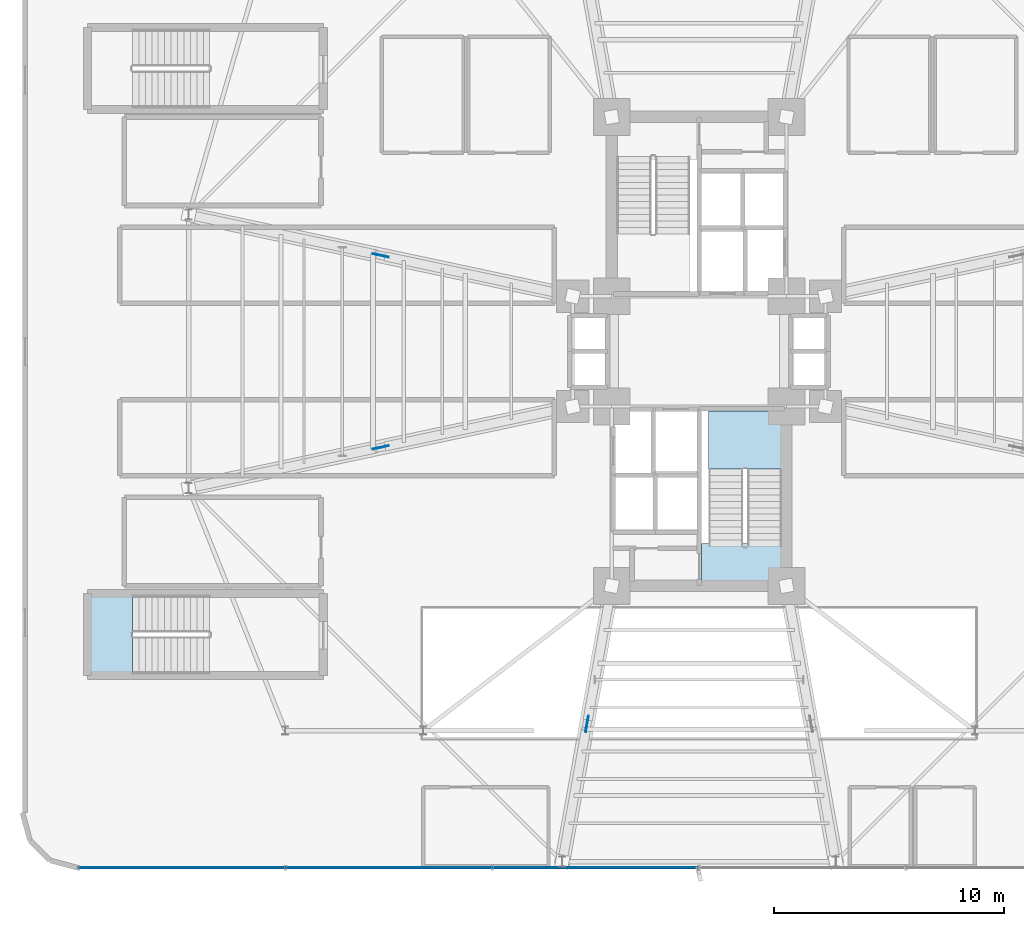
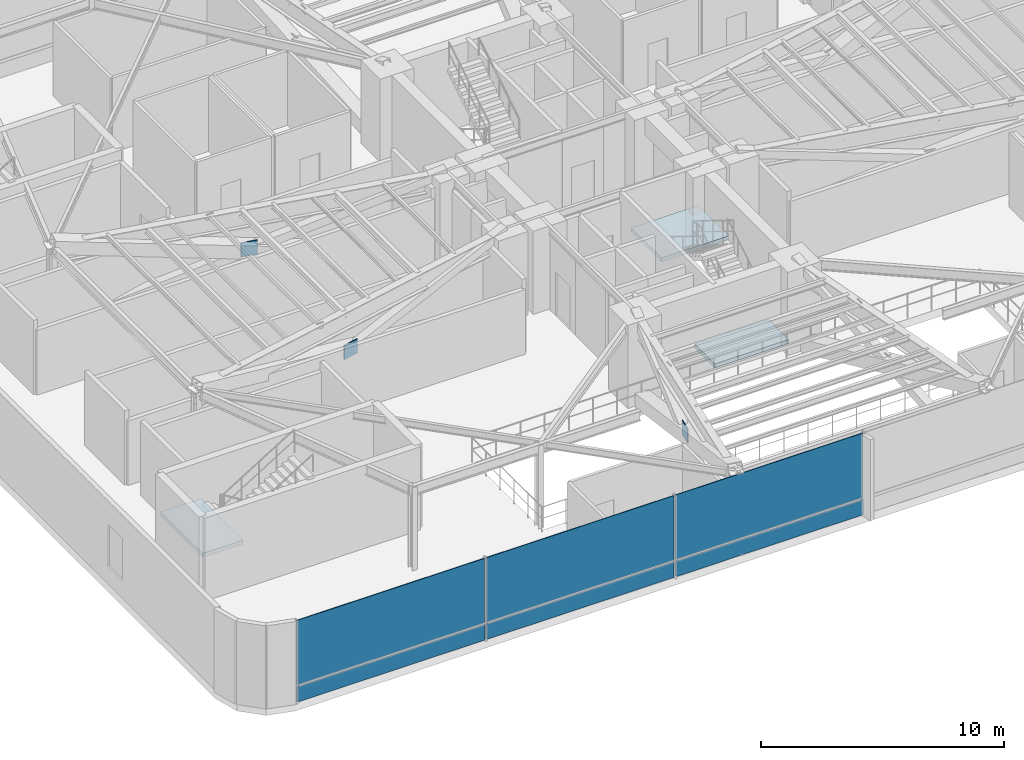
# One storey, part 18 of 32: 9 plates, 3 slabs, 3 elements without a shape of their own.
"""IFC4 building model written with IfcOpenShell, lengths in metres."""

import ifcopenshell
import ifcopenshell.guid

model = None  # the IFC model being written
_history = None  # IfcOwnerHistory: only IFC2X3 demands one
_inside = {}  # id of a spatial element -> (the spatial element, [elements in it])
_under = {}  # id of a project, library or spatial element -> (it, [spatial elements below it])
_declared = {}  # id of a project -> (the project, [libraries it declares])
_typed = {}  # id of a type object -> (the type object, [elements of that type])
_made_of = {}  # id of a material, layer set ... -> (it, [elements and type objects made of it])


def new_model(schema):
    """Start an empty IFC model of exactly this schema.

    Asked for "IFC4X3", IfcOpenShell would pick the latest addendum, in which some entities
    have other attributes; the version numbers below select the first issue.
    IFC2X3 requires an IfcOwnerHistory on every rooted entity: one is made here for all.
    """
    global model, _history
    if schema == "IFC4X3":
        model = ifcopenshell.file(schema_version=(4, 3, 0, 0))
    else:
        model = ifcopenshell.file(schema=schema)
    _inside.clear()
    _under.clear()
    _declared.clear()
    _typed.clear()
    _made_of.clear()
    _history = None
    if model.schema == "IFC2X3":
        org = make("IfcOrganization", Name="unknown")
        user = make(
            "IfcPersonAndOrganization",
            ThePerson=make("IfcPerson", FamilyName="unknown"),
            TheOrganization=org,
        )
        app = make(
            "IfcApplication",
            ApplicationDeveloper=org,
            Version="unknown",
            ApplicationFullName="unknown",
            ApplicationIdentifier="unknown",
        )
        _history = make(
            "IfcOwnerHistory",
            OwningUser=user,
            OwningApplication=app,
            ChangeAction="ADDED",
            CreationDate=0,
        )
    return model


def make(cls, **values):
    """One entity of the class cls with the attributes given. An attribute that is None is left unset."""
    return model.create_entity(
        cls, **{name: value for name, value in values.items() if value is not None}
    )


def rooted(cls, **values):
    """An entity with a GlobalId (a new one), such as an element, a storey or a relation."""
    return make(cls, GlobalId=ifcopenshell.guid.new(), OwnerHistory=_history, **values)


def si_unit(unit_type, name, prefix=None):
    """IfcSIUnit, for example si_unit("LENGTHUNIT", "METRE", prefix="MILLI")."""
    return make("IfcSIUnit", UnitType=unit_type, Prefix=prefix, Name=name)


def assignment(units):
    """IfcUnitAssignment: the units of a project."""
    return None if units is None else make("IfcUnitAssignment", Units=units)


def point(xyz):
    """IfcCartesianPoint."""
    return None if xyz is None else make("IfcCartesianPoint", Coordinates=xyz)


def direction(xyz):
    """IfcDirection."""
    return None if xyz is None else make("IfcDirection", DirectionRatios=xyz)


def frame(location, z_axis=None, x_axis=None):
    """IfcAxis2Placement3D, a coordinate frame: its origin and axes. An axis left out is left unset."""
    return make(
        "IfcAxis2Placement3D",
        Location=point(location),
        Axis=direction(z_axis),
        RefDirection=direction(x_axis),
    )


def frame_2d(location, x_axis=None):
    """IfcAxis2Placement2D, a coordinate frame in the plane: its origin and x axis."""
    return make(
        "IfcAxis2Placement2D", Location=point(location), RefDirection=direction(x_axis)
    )


def origin():
    """The frame at (0, 0, 0) with its axes left unset."""
    return frame((0.0, 0.0, 0.0))


def origin_2d():
    """The frame at (0, 0) in the plane with its x axis left unset."""
    return frame_2d((0.0, 0.0))


def place(relative_to, where):
    """IfcLocalPlacement: puts the frame where relative to a parent placement (None: the world)."""
    return make(
        "IfcLocalPlacement", PlacementRelTo=relative_to, RelativePlacement=where
    )


def context(
    kind, dimensions, precision=None, world=None, true_north=None, identifier=None
):
    """IfcGeometricRepresentationContext, for example the 3D "Model" context."""
    return make(
        "IfcGeometricRepresentationContext",
        ContextIdentifier=identifier,
        ContextType=kind,
        CoordinateSpaceDimension=dimensions,
        Precision=precision,
        WorldCoordinateSystem=world,
        TrueNorth=true_north,
    )


def subcontext(parent, identifier, kind, view, scale=None):
    """IfcGeometricRepresentationSubContext, for example "Body" below "Model"."""
    return make(
        "IfcGeometricRepresentationSubContext",
        ContextIdentifier=identifier,
        ContextType=kind,
        ParentContext=parent,
        TargetScale=scale,
        TargetView=view,
    )


def project(units=None, contexts=None):
    """IfcProject with its units and contexts."""
    return rooted(
        "IfcProject",
        Name="project",
        RepresentationContexts=contexts,
        UnitsInContext=assignment(units),
    )


def spatial(cls, under=None, at=None, **own):
    """A site, building, storey or space (cls), placed at a placement, below another one or the project."""
    s = rooted(cls, ObjectPlacement=at, **own)
    if under is not None:
        _under.setdefault(under.id(), (under, []))[1].append(s)
    return s


def polyline(points):
    """IfcPolyline through the points."""
    return make("IfcPolyline", Points=[point(p) for p in points])


def profile(cls, at=None, kind="AREA", **sizes):
    """A parametric profile (cls). Its sizes go by their IFC names, for example OverallWidth=200.0."""
    return make(cls, ProfileType=kind, Position=at, **sizes)


def rectangle(**sizes):
    """IfcRectangleProfileDef."""
    return profile("IfcRectangleProfileDef", **sizes)


def outline(outer, holes=None, kind="AREA"):
    """IfcArbitraryClosedProfileDef: a profile drawn as a closed curve; with holes, ...WithVoids."""
    if holes is None:
        return make("IfcArbitraryClosedProfileDef", ProfileType=kind, OuterCurve=outer)
    return make(
        "IfcArbitraryProfileDefWithVoids",
        ProfileType=kind,
        OuterCurve=outer,
        InnerCurves=holes,
    )


def extrude(swept, where, along, depth):
    """IfcExtrudedAreaSolid: the profile swept, set in the frame where, extruded along a direction by depth."""
    return make(
        "IfcExtrudedAreaSolid",
        SweptArea=swept,
        Position=where,
        ExtrudedDirection=direction(along),
        Depth=depth,
    )


def shape(context_of_items, identifier, shape_type, items):
    """IfcShapeRepresentation: the items that make up one representation, for example the "Body"."""
    return make(
        "IfcShapeRepresentation",
        ContextOfItems=context_of_items,
        RepresentationIdentifier=identifier,
        RepresentationType=shape_type,
        Items=items,
    )


def source(mapping_origin, context_of_items, identifier, shape_type, items):
    """IfcRepresentationMap: a shape defined once, which mapped items show again and again."""
    return make(
        "IfcRepresentationMap",
        MappingOrigin=mapping_origin,
        MappedRepresentation=shape(context_of_items, identifier, shape_type, items),
    )


def transform(
    local_origin,
    x_axis=None,
    y_axis=None,
    z_axis=None,
    scale=None,
    scale2=None,
    scale3=None,
    uniform=True,
):
    """IfcCartesianTransformationOperator3D, or its non-uniform kind. x_axis, y_axis, z_axis: its Axis1, 2, 3."""
    if uniform:
        return make(
            "IfcCartesianTransformationOperator3D",
            Axis1=direction(x_axis),
            Axis2=direction(y_axis),
            LocalOrigin=point(local_origin),
            Scale=scale,
            Axis3=direction(z_axis),
        )
    return make(
        "IfcCartesianTransformationOperator3DnonUniform",
        Axis1=direction(x_axis),
        Axis2=direction(y_axis),
        LocalOrigin=point(local_origin),
        Scale=scale,
        Axis3=direction(z_axis),
        Scale2=scale2,
        Scale3=scale3,
    )


def mapped(mapping_source, mapping_target):
    """IfcMappedItem: shows the shape of a source again, moved by a transform."""
    return make(
        "IfcMappedItem", MappingSource=mapping_source, MappingTarget=mapping_target
    )


def material(Name=None, Category=None):
    """IfcMaterial."""
    return make("IfcMaterial", Name=Name, Category=Category)


def layer(
    of_material, thickness, ventilated=None, Name=None, Category=None, Priority=None
):
    """IfcMaterialLayer: one layer of a wall or slab, of a material (None: an air gap)."""
    return make(
        "IfcMaterialLayer",
        Material=of_material,
        LayerThickness=thickness,
        IsVentilated=ventilated,
        Name=Name,
        Category=Category,
        Priority=Priority,
    )


def layer_set(layers, Name=None):
    """IfcMaterialLayerSet."""
    return make("IfcMaterialLayerSet", MaterialLayers=layers, LayerSetName=Name)


def made_of(thing, what):
    """Note that an element or type object is made of a material, layer set ...; save() writes the relation."""
    if what is not None:
        _made_of.setdefault(what.id(), (what, []))[1].append(thing)
    return thing


def type_object(cls, material=None, **own):
    """A type object (cls), such as IfcWallType, which elements share."""
    return made_of(rooted(cls, **own), material)


def element(
    cls,
    number,
    at=None,
    inside=None,
    cuts=None,
    type_object=None,
    material=None,
    context=None,
    identifier="Body",
    shape_type=None,
    held_by="IfcProductDefinitionShape",
    body=None,
    shapes=None,
    **own,
):
    """One element of the class cls, such as IfcWall. Its Tag is "e" and its number.

    at: its placement. inside: the storey or other place that contains it. cuts: it is an
    opening in that element (IfcRelVoidsElement). A single representation is given by context,
    identifier, shape_type and body (its items); several are given by shapes. held_by: the class
    of the entity that holds the representations. save() writes the other relations.
    """
    e = rooted(cls, Tag="e%d" % number, ObjectPlacement=at, **own)
    if body is not None:
        shapes = [shape(context, identifier, shape_type, body)]
    if shapes is not None:
        e.Representation = make(held_by, Representations=shapes)
    if inside is not None:
        _inside.setdefault(inside.id(), (inside, []))[1].append(e)
    if cuts is not None:
        rooted(
            "IfcRelVoidsElement", RelatingBuildingElement=cuts, RelatedOpeningElement=e
        )
    if type_object is not None:
        _typed.setdefault(type_object.id(), (type_object, []))[1].append(e)
    return made_of(e, material)


def aggregate(whole, parts):
    """IfcRelAggregates: a whole, such as a stair, and the parts it consists of."""
    return rooted("IfcRelAggregates", RelatingObject=whole, RelatedObjects=parts)


def save(model, path):
    """Write the relations noted so far, then the file.

    IfcRelAggregates (storeys below a building ...), IfcRelContainedInSpatialStructure (elements
    in a storey), IfcRelDefinesByType, IfcRelAssociatesMaterial and IfcRelDeclares: one each for
    every whole, place, type object, material and project.
    """
    for whole, parts in _under.values():
        aggregate(whole, parts)
    for where, things in _inside.values():
        rooted(
            "IfcRelContainedInSpatialStructure",
            RelatedElements=things,
            RelatingStructure=where,
        )
    for kind, things in _typed.values():
        rooted("IfcRelDefinesByType", RelatedObjects=things, RelatingType=kind)
    for what, things in _made_of.values():
        rooted("IfcRelAssociatesMaterial", RelatedObjects=things, RelatingMaterial=what)
    for by, libraries in _declared.values():
        rooted("IfcRelDeclares", RelatingContext=by, RelatedDefinitions=libraries)
    model.write(path)


model = new_model("IFC4")

# Units and contexts
model_context = context("Model", 3, precision=1e-05, world=origin(), true_north=direction((0.0, 1.0)))
body_context = subcontext(model_context, "Body", "Model", "MODEL_VIEW")
ifc_project = project(units=[si_unit("LENGTHUNIT", "METRE"), si_unit("AREAUNIT", "SQUARE_METRE"), si_unit("VOLUMEUNIT", "CUBIC_METRE"), si_unit("PLANEANGLEUNIT", "RADIAN"), si_unit("MASSUNIT", "GRAM", prefix="KILO")], contexts=[model_context])

# Site, building, storey
site_placement = place(None, origin())
site = spatial("IfcSite", under=ifc_project, at=site_placement, CompositionType="ELEMENT")
building_placement = place(site_placement, origin())
building = spatial("IfcBuilding", under=site, at=building_placement, Name="Sahyath Konkavel Grand Hotel", CompositionType="ELEMENT")
storey_placement = place(building_placement, frame((0.0, 0.0, 14.10009765625)))
storey = spatial("IfcBuildingStorey", under=building, at=storey_placement, Name="L03", CompositionType="ELEMENT", Elevation=14.10009765625)

# Stair, slab
ifc_material_1 = material(Name="Concrete C40/50", Category="concrete")
stair_type = type_object("IfcStairType", Name="STR-ST16-450", PredefinedType="HALF_TURN_STAIR", material=ifc_material_1)
stair_1_placement = place(storey_placement, origin())
stair_1 = element("IfcStair", 1, at=stair_1_placement, inside=storey, type_object=stair_type, Name="L03 South Core Smokeproof Exit Stair ST-2", PredefinedType="HALF_TURN_STAIR")
ifc_layer_1 = layer(ifc_material_1, 0.199951171875)
ifc_layer_set_1 = layer_set([ifc_layer_1], Name="Concrete C40/50")
slab_type = type_object("IfcSlabType", Name="SLB-STAIR-LND", PredefinedType="LANDING", material=ifc_layer_set_1)
slab_1_placement = place(storey_placement, frame((0.0, 0.0, 2.0498046875)))
slab_1 = element("IfcSlab", 2, at=slab_1_placement, type_object=slab_type, Name="ST-2 landing 1", PredefinedType="LANDING", context=body_context, shape_type="SweptSolid", body=[
    extrude(outline(polyline([(3.60009765625, -5.1201171875), (3.60009765625, -2.60009765625), (0.39990234375, -2.60009765625), (0.39990234375, -5.1201171875), (3.60009765625, -5.1201171875)])), origin(), (0.0, 0.0, 1.0), 0.2001953125),
])
aggregate(stair_1, [slab_1])

# Slab
slab_2_placement = place(storey_placement, frame((0.0, 0.0, -0.2001953125)))
element("IfcSlab", 3, at=slab_2_placement, inside=storey, type_object=slab_type, Name="L03 Stair ST-2 Floor Landing Slab", PredefinedType="LANDING", context=body_context, shape_type="SweptSolid", body=[
    extrude(outline(polyline([(0.10009765625, -10.02001953125), (3.6201171875, -10.02001953125), (3.6201171875, -8.35009765625), (0.10009765625, -8.35009765625), (0.10009765625, -10.02001953125)])), origin(), (0.0, 0.0, 1.0), 0.2001953125),
])

# Stair, slab
stair_2_placement = place(storey_placement, origin())
stair_2 = element("IfcStair", 4, at=stair_2_placement, inside=storey, type_object=stair_type, Name="L03 Podium Protected Exit Stair ST-P3", PredefinedType="HALF_TURN_STAIR")
slab_3_placement = place(storey_placement, frame((0.0, 0.0, 2.0498046875)))
slab_3 = element("IfcSlab", 5, at=slab_3_placement, type_object=slab_type, Name="ST-P3 landing 1", PredefinedType="LANDING", context=body_context, shape_type="SweptSolid", body=[
    extrude(outline(polyline([(-24.64990234375, -10.580078125), (-26.580078125, -10.580078125), (-26.580078125, -14.0400390625), (-24.64990234375, -14.0400390625), (-24.64990234375, -10.580078125)])), origin(), (0.0, 0.0, 1.0), 0.2001953125),
])
aggregate(stair_2, [slab_3])

# Plates
ifc_material_2 = material(Name="Steel E450", Category="steel")
plate_type_1 = type_object("IfcPlateType", Name="GUSSET-NODE-40", PredefinedType="USERDEFINED", material=ifc_material_2)
shared_shape_1 = source(origin(), body_context, "Body", "SweptSolid", [
    extrude(rectangle(XDim=0.719970703125, YDim=0.0400390625, at=origin_2d()), origin(), (0.0, 0.0, 1.0), 0.719970703125),
])
for number, where, z_axis, x_axis, name in (
    (6, (-13.85009765625, 4.175048828125, 1.72998046875), (0.0, 0.0, 1.0), (-0.978143971841, 0.207928762682, 0.0), "L03 Ballroom Steel Transfer Truss WA X-Crossing Node Gusset Plate"),
    (7, (-13.85009765625, -4.175048828125, 1.72998046875), (0.0, 0.0, 1.0), (-0.978143971841, -0.207928762682, 0.0), "L03 Ballroom Steel Transfer Truss WB X-Crossing Node Gusset Plate"),
    (8, (-4.875, -16.199951171875, 1.72998046875), (0.0, 0.0, 1.0), (-0.176363239745, -0.984325153426, 0.0), "L03 Ballroom Steel Transfer Truss SA X-Crossing Node Gusset Plate"),
):
    element("IfcPlate", number, at=place(storey_placement, frame(where, z_axis=z_axis, x_axis=x_axis)), inside=storey, type_object=plate_type_1, Name=name, ObjectType="GUSSET_PLATE", PredefinedType="USERDEFINED", context=body_context, shape_type="MappedRepresentation", body=[
        mapped(shared_shape_1, transform((0.0, 0.0, 0.0), scale=1.0)),
    ])

# Curtain wall, plates
ifc_material_3 = material(Name="Anodised Bronze Aluminium & Low-E Glazing", Category="aluminium")
curtain_wall_type = type_object("IfcCurtainWallType", Name="CW-PODIUM", PredefinedType="NOTDEFINED", material=ifc_material_3)
curtain_wall_placement = place(storey_placement, origin())
curtain_wall = element("IfcCurtainWall", 9, at=curtain_wall_placement, inside=storey, type_object=curtain_wall_type, Name="L03 Unitised Curtain Wall S", PredefinedType="NOTDEFINED")
ifc_material_4 = material(Name="Warm Buff Sandstone Cladding", Category="masonry")
ifc_layer_2 = layer(ifc_material_4, 0.074951171875)
ifc_layer_set_2 = layer_set([ifc_layer_2], Name="Warm Buff Sandstone Cladding")
plate_type_2 = type_object("IfcPlateType", Name="PNL-SPANDREL-STONE", PredefinedType="SHEET", material=ifc_layer_set_2)
shared_shape_2 = source(origin(), body_context, "Body", "SweptSolid", [
    extrude(rectangle(XDim=8.918701171875, YDim=0.074951171875, at=origin_2d()), origin(), (0.0, 0.0, 1.0), 0.77001953125),
])
plate_1_placement = place(storey_placement, frame((-22.49658203125, -22.465087890625, 0.039794921875), z_axis=(0.0, 0.0, 1.0), x_axis=(1.0, 0.0, 0.0)))
plate_1 = element("IfcPlate", 10, at=plate_1_placement, type_object=plate_type_2, Name="L03 Sandstone Relief Spandrel Panel S-0", PredefinedType="SHEET", context=body_context, shape_type="MappedRepresentation", body=[
    mapped(shared_shape_2, transform((0.0, 0.0, 0.0), scale=1.0)),
])
plate_2_placement = place(storey_placement, frame((-13.498046875, -22.465087890625, 0.039794921875), z_axis=(0.0, 0.0, 1.0), x_axis=(1.0, 0.0, 0.0)))
plate_2 = element("IfcPlate", 11, at=plate_2_placement, type_object=plate_type_2, Name="L03 Sandstone Relief Spandrel Panel S-1", PredefinedType="SHEET", context=body_context, shape_type="MappedRepresentation", body=[
    mapped(shared_shape_2, transform((0.0, 0.0, 0.0), scale=1.0)),
])
plate_3_placement = place(storey_placement, frame((-4.499267578125, -22.465087890625, 0.039794921875), z_axis=(0.0, 0.0, 1.0), x_axis=(1.0, 0.0, 0.0)))
plate_3 = element("IfcPlate", 12, at=plate_3_placement, type_object=plate_type_2, Name="L03 Sandstone Relief Spandrel Panel S-2", PredefinedType="SHEET", context=body_context, shape_type="MappedRepresentation", body=[
    mapped(shared_shape_2, transform((0.0, 0.0, 0.0), scale=1.0)),
])
ifc_material_5 = material(Name="Low-E Solar Control Double Glazing", Category="glass")
ifc_layer_3 = layer(ifc_material_5, 0.035888671875)
ifc_layer_set_3 = layer_set([ifc_layer_3], Name="Low-E Solar Control Double Glazing")
plate_type_3 = type_object("IfcPlateType", Name="PNL-VISION-LOWE", PredefinedType="CURTAIN_PANEL", material=ifc_layer_set_3)
shared_shape_3 = source(origin(), body_context, "Body", "SweptSolid", [
    extrude(rectangle(XDim=8.918701171875, YDim=0.035888671875, at=origin_2d()), origin(), (0.0, 0.0, 1.0), 3.25),
])
plate_4_placement = place(storey_placement, frame((-22.49658203125, -22.465087890625, 0.889892578125), z_axis=(0.0, 0.0, 1.0), x_axis=(1.0, 0.0, 0.0)))
plate_4 = element("IfcPlate", 13, at=plate_4_placement, type_object=plate_type_3, Name="L03 Low-E Vision Glazing Panel S-0", PredefinedType="CURTAIN_PANEL", context=body_context, shape_type="MappedRepresentation", body=[
    mapped(shared_shape_3, transform((0.0, 0.0, 0.0), scale=1.0)),
])
plate_5_placement = place(storey_placement, frame((-13.498046875, -22.465087890625, 0.889892578125), z_axis=(0.0, 0.0, 1.0), x_axis=(1.0, 0.0, 0.0)))
plate_5 = element("IfcPlate", 14, at=plate_5_placement, type_object=plate_type_3, Name="L03 Low-E Vision Glazing Panel S-1", PredefinedType="CURTAIN_PANEL", context=body_context, shape_type="MappedRepresentation", body=[
    mapped(shared_shape_3, transform((0.0, 0.0, 0.0), scale=1.0)),
])
plate_6_placement = place(storey_placement, frame((-4.499267578125, -22.465087890625, 0.889892578125), z_axis=(0.0, 0.0, 1.0), x_axis=(1.0, 0.0, 0.0)))
plate_6 = element("IfcPlate", 15, at=plate_6_placement, type_object=plate_type_3, Name="L03 Low-E Vision Glazing Panel S-2", PredefinedType="CURTAIN_PANEL", context=body_context, shape_type="MappedRepresentation", body=[
    mapped(shared_shape_3, transform((0.0, 0.0, 0.0), scale=1.0)),
])
aggregate(curtain_wall, [plate_1, plate_4, plate_2, plate_5, plate_3, plate_6])

save(model, "model.ifc")
